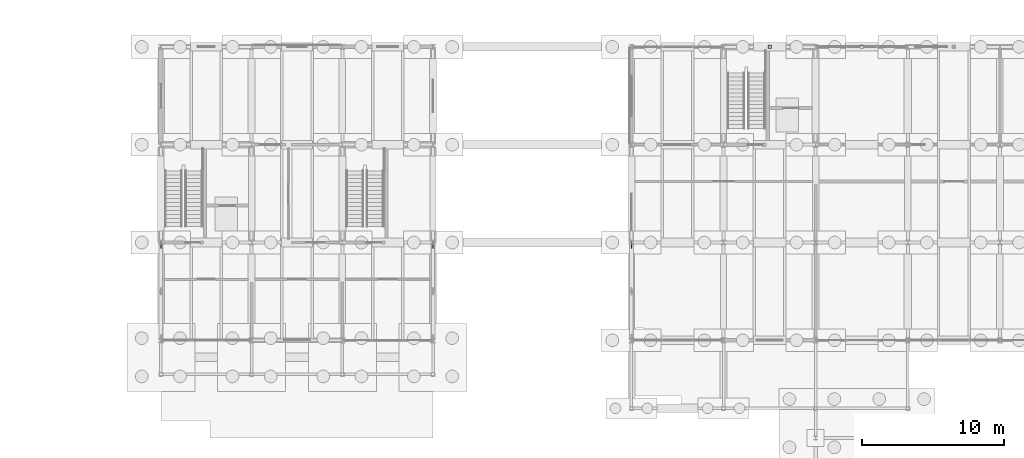
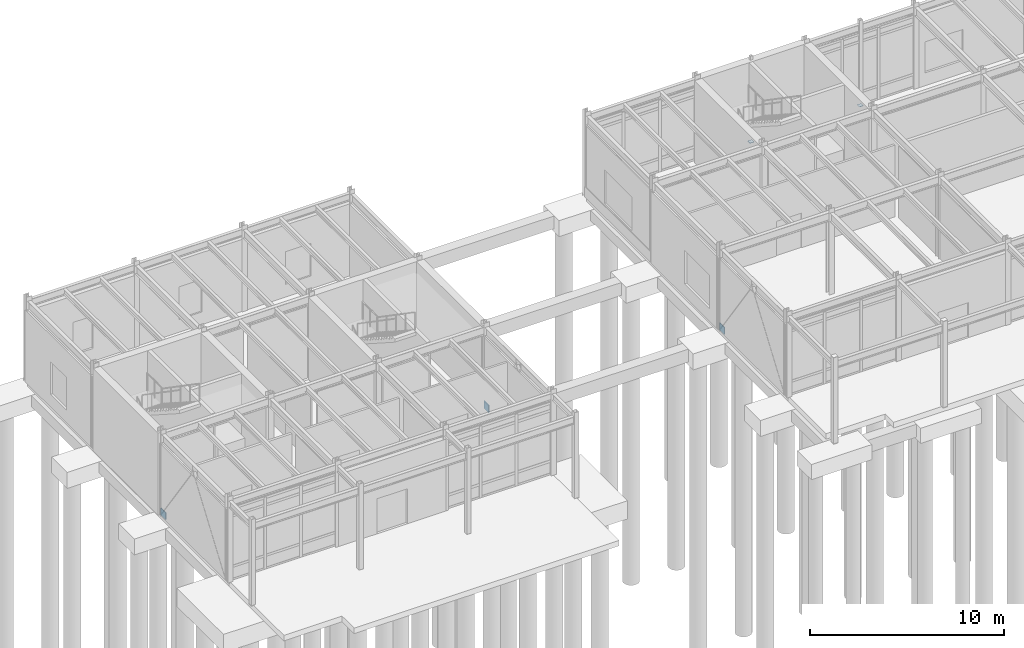
# One storey, part 62 of 82: 5 plates.
"""IFC4 building model written with IfcOpenShell, lengths in metres."""

from ifc_helpers import new_model, si_unit, direction, frame, origin, origin_2d, place, context, subcontext, project, spatial, rectangle, extrude, material, layer, layer_set, type_object, element, save


model = new_model("IFC4")

# Units and contexts
model_context = context("Model", 3, precision=1e-05, world=origin(), true_north=direction((0.0, 1.0)))
body_context = subcontext(model_context, "Body", "Model", "MODEL_VIEW")
ifc_project = project(units=[si_unit("LENGTHUNIT", "METRE"), si_unit("AREAUNIT", "SQUARE_METRE"), si_unit("VOLUMEUNIT", "CUBIC_METRE"), si_unit("PLANEANGLEUNIT", "RADIAN"), si_unit("MASSUNIT", "GRAM", prefix="KILO")], contexts=[model_context])

# Site, building, storey
site_placement = place(None, origin())
site = spatial("IfcSite", under=ifc_project, at=site_placement, CompositionType="ELEMENT")
building_placement = place(site_placement, origin())
building = spatial("IfcBuilding", under=site, at=building_placement, Name="Trelmorton Wharf Fire Station", CompositionType="ELEMENT")
storey_placement = place(building_placement, origin())
storey = spatial("IfcBuildingStorey", under=building, at=storey_placement, Name="L00", CompositionType="ELEMENT", Elevation=0.0)

# Plates
ifc_material = material(Name="Steel Grade 350", Category="steel")
ifc_layer_1 = layer(ifc_material, 0.011962890625)
ifc_layer_set_1 = layer_set([ifc_layer_1], Name="Steel Grade 350")
plate_type_1 = type_object("IfcPlateType", Name="PL_ENDCAP_12", PredefinedType="SHEET", material=ifc_layer_set_1)
for number, where, z_axis, x_axis, name in (
    (1, (113.75, 81.0, -0.01806640625), (0.0, 0.0, 1.0), (1.0, 0.0, 0.0), "PL-PILCAP-B-001"),
    (2, (120.25, 81.0, -0.01806640625), (0.0, 0.0, 1.0), (1.0, 0.0, 0.0), "PL-PILCAP-B-009"),
):
    element("IfcPlate", number, at=place(storey_placement, frame(where, z_axis=z_axis, x_axis=x_axis)), inside=storey, type_object=plate_type_1, Name=name, PredefinedType="SHEET", context=body_context, shape_type="SweptSolid", body=[
        extrude(rectangle(XDim=0.239990234375, YDim=0.239990234375, at=origin_2d()), origin(), (0.0, 0.0, 1.0), 0.02001953125),
    ])
ifc_layer_2 = layer(ifc_material, 0.050048828125)
ifc_layer_set_2 = layer_set([ifc_layer_2], Name="Steel Grade 350")
plate_type_2 = type_object("IfcPlateType", Name="PL_GUSSET_TN2", PredefinedType="USERDEFINED", material=ifc_layer_set_2)
for number, where, z_axis, x_axis, name in (
    (3, (70.800048828125, 67.03955078125, -0.10498046875), (0.0, 0.0, 1.0), (1.0, 0.0, 0.0), "PL-CBF-0401"),
    (4, (90.0, 67.03955078125, -0.10498046875), (0.0, 0.0, 1.0), (1.0, 0.0, 0.0), "PL-CBF-0422"),
    (5, (104.0, 67.03955078125, -0.10498046875), (0.0, 0.0, 1.0), (1.0, 0.0, 0.0), "PL-CBF-0443"),
):
    element("IfcPlate", number, at=place(storey_placement, frame(where, z_axis=z_axis, x_axis=x_axis)), inside=storey, type_object=plate_type_2, Name=name, ObjectType="GUSSET PLATE", PredefinedType="USERDEFINED", context=body_context, shape_type="SweptSolid", body=[
        extrude(rectangle(XDim=0.050048828125, YDim=0.5, at=origin_2d()), origin(), (0.0, 0.0, 1.0), 0.449951171875),
    ])

save(model, "model.ifc")
